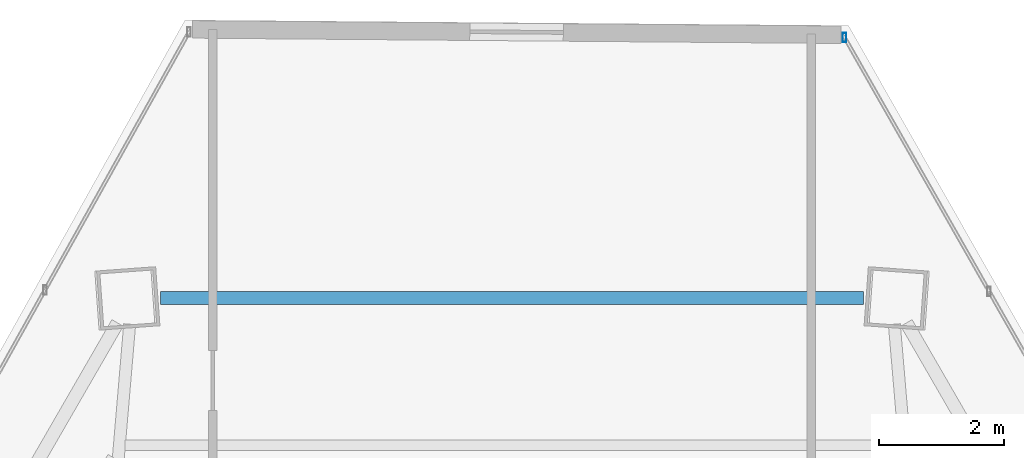
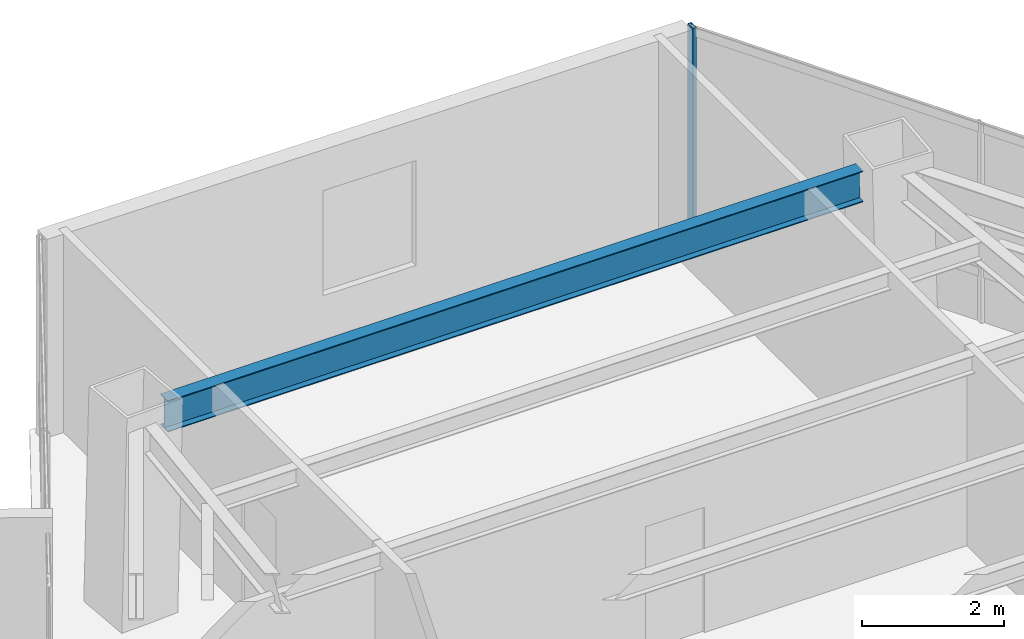
# One storey, part 29 of 38: 1 beam, 1 member, 1 element without a shape of its own.
"""IFC4 building model written with IfcOpenShell, lengths in metres."""

from ifc_helpers import new_model, si_unit, direction, frame, origin, origin_2d, place, context, subcontext, project, spatial, hollow_rectangle, i_section, extrude, source, transform, mapped, material, material_profile, profile_set, type_object, type_shapes, element, aggregate, save


model = new_model("IFC4")

# Units and contexts
model_context = context("Model", 3, precision=1e-05, world=origin(), true_north=direction((0.0, 1.0)))
body_context = subcontext(model_context, "Body", "Model", "MODEL_VIEW")
ifc_project = project(units=[si_unit("LENGTHUNIT", "METRE"), si_unit("AREAUNIT", "SQUARE_METRE"), si_unit("VOLUMEUNIT", "CUBIC_METRE"), si_unit("PLANEANGLEUNIT", "RADIAN"), si_unit("MASSUNIT", "GRAM", prefix="KILO")], contexts=[model_context])

# Site, building, storey
site_placement = place(None, origin())
site = spatial("IfcSite", under=ifc_project, at=site_placement, CompositionType="ELEMENT")
building_placement = place(site_placement, origin())
building = spatial("IfcBuilding", under=site, at=building_placement, Name="Caelisora Broadcast Tower", CompositionType="ELEMENT")
storey_placement = place(building_placement, frame((0.0, 0.0, 158.5)))
storey = spatial("IfcBuildingStorey", under=building, at=storey_placement, Name="L41", CompositionType="ELEMENT", Elevation=158.5)

# Beam
ifc_material_1 = material(Name="Steel Grade 350 (AS/NZS 3679.1)", Category="steel")
ifc_material_profile_1 = material_profile(ifc_material_1, i_section(OverallWidth=0.208984375, OverallDepth=0.532958984375, WebThickness=0.01025390625, FlangeThickness=0.015625, at=origin_2d()), Name="Steel Grade 350 (AS/NZS 3679.1)")
ifc_profile_set_1 = profile_set([ifc_material_profile_1], Name="Steel Grade 350 (AS/NZS 3679.1)")
beam_type = type_object("IfcBeamType", Name="PG05", PredefinedType="BEAM", material=ifc_profile_set_1)
shared_shape_1 = source(origin(), body_context, "Body", "SweptSolid", [
    extrude(i_section(OverallWidth=0.208984375, OverallDepth=0.532958984375, WebThickness=0.01025390625, FlangeThickness=0.015625, at=origin_2d()), origin(), (0.0, 0.0, 1.0), 11.27490234375),
])
type_shapes(beam_type, [shared_shape_1])
beam_placement = place(storey_placement, frame((43.637451171875, 46.5087890625, 3.133544921875), z_axis=(-1.0, 0.0, 0.0), x_axis=(0.0, -1.0, 0.0)))
element("IfcBeam", 1, at=beam_placement, inside=storey, type_object=beam_type, Name="L41 beam PG05", PredefinedType="BEAM", context=body_context, shape_type="MappedRepresentation", body=[
    mapped(shared_shape_1, transform((0.0, 0.0, 0.0), scale=1.0)),
])

# Curtain wall, member
ifc_material_2 = material(Name="Unitised Aluminium and Low-E Glass Curtain Wall", Category="glass")
curtain_wall_type = type_object("IfcCurtainWallType", Name="CW-Z3", PredefinedType="NOTDEFINED", material=ifc_material_2)
curtain_wall_placement = place(storey_placement, origin())
curtain_wall = element("IfcCurtainWall", 2, at=curtain_wall_placement, inside=storey, type_object=curtain_wall_type, Name="L41 curtain wall CW-Z3", PredefinedType="NOTDEFINED")
ifc_material_3 = material(Name="Aluminium 6063-T6 Anodised Terracotta Bronze", Category="aluminium")
ifc_material_profile_2 = material_profile(ifc_material_3, hollow_rectangle(XDim=0.06005859375, YDim=0.14990234375, WallThickness=0.00341796875, at=origin_2d()), Name="Aluminium 6063-T6 Anodised Terracotta Bronze")
ifc_profile_set_2 = profile_set([ifc_material_profile_2], Name="Aluminium 6063-T6 Anodised Terracotta Bronze")
member_type = type_object("IfcMemberType", Name="CWM-03", PredefinedType="MULLION", material=ifc_profile_set_2)
shared_shape_2 = source(origin(), body_context, "Body", "SweptSolid", [
    extrude(hollow_rectangle(XDim=0.06005859375, YDim=0.14990234375, WallThickness=0.00341796875, at=origin_2d()), origin(), (0.0, 0.0, 1.0), 3.39990234375),
])
type_shapes(member_type, [shared_shape_2])
member_placement = place(storey_placement, frame((43.334716796875, 50.689697265625, 0.0), z_axis=(0.0, 0.0, 1.0), x_axis=(1.0, 0.0, 0.0)))
member = element("IfcMember", 3, at=member_placement, type_object=member_type, Name="L41-CW-B01 mullion #0", PredefinedType="MULLION", context=body_context, shape_type="MappedRepresentation", body=[
    mapped(shared_shape_2, transform((0.0, 0.0, 0.0), scale=1.0)),
])
aggregate(curtain_wall, [member])

save(model, "model.ifc")
